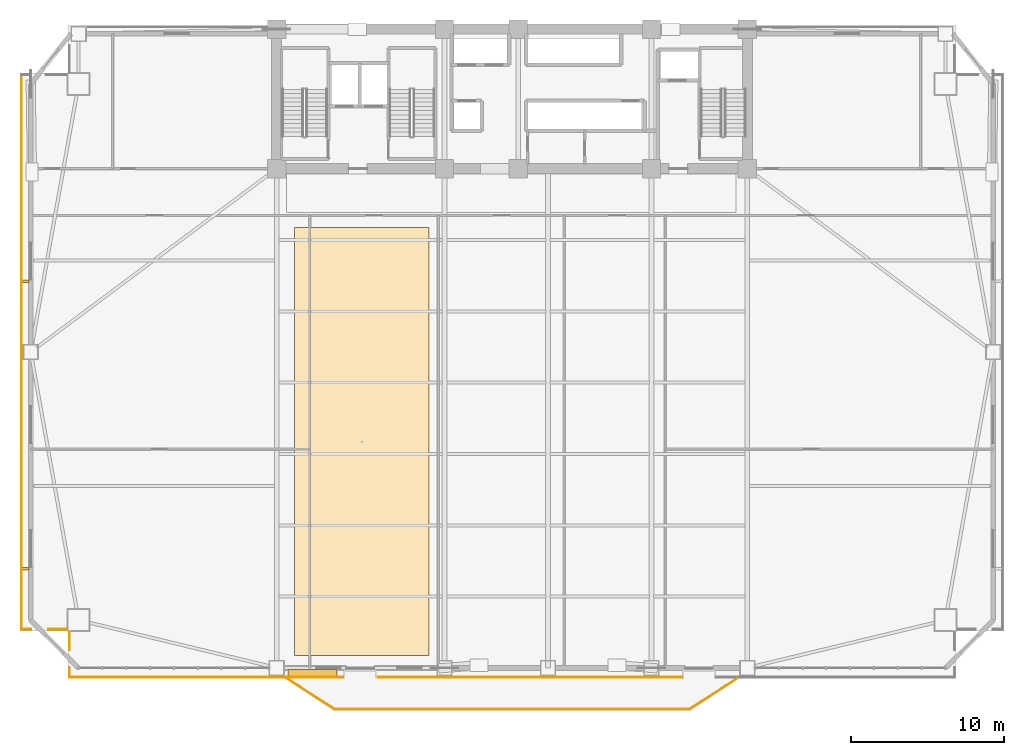
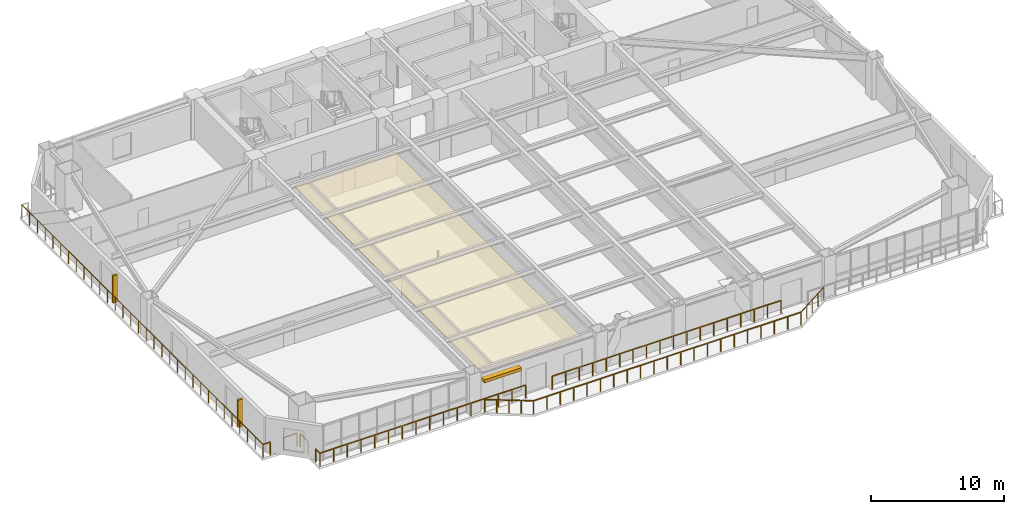
# One storey, part 14 of 18: 10 railings, 3 shading devices, 1 covering.
"""IFC4 building model written with IfcOpenShell, lengths in metres."""

from ifc_helpers import new_model, si_unit, direction, frame, origin, origin_2d, place, context, subcontext, project, spatial, polyline, rectangle, outline, extrude, source, transform, mapped, material, layer, layer_set, type_object, element, save


model = new_model("IFC4")

# Units and contexts
model_context = context("Model", 3, precision=1e-05, world=origin(), true_north=direction((0.0, 1.0)))
body_context = subcontext(model_context, "Body", "Model", "MODEL_VIEW")
ifc_project = project(units=[si_unit("LENGTHUNIT", "METRE"), si_unit("AREAUNIT", "SQUARE_METRE"), si_unit("VOLUMEUNIT", "CUBIC_METRE"), si_unit("PLANEANGLEUNIT", "RADIAN"), si_unit("MASSUNIT", "GRAM", prefix="KILO")], contexts=[model_context])

# Site, building, storey
site_placement = place(None, origin())
site = spatial("IfcSite", under=ifc_project, at=site_placement, CompositionType="ELEMENT")
building_placement = place(site_placement, origin())
building = spatial("IfcBuilding", under=site, at=building_placement, Name="Giltprow Tower", CompositionType="ELEMENT")
storey_placement = place(building_placement, frame((0.0, 0.0, 61.10009765625)))
storey = spatial("IfcBuildingStorey", under=building, at=storey_placement, Name="L15", CompositionType="ELEMENT", Elevation=61.10009765625)

# Covering
ifc_material_1 = material(Name="Acoustic mineral fibre", Category="gypsum")
ifc_layer = layer(ifc_material_1, 0.030029296875, Name="Acoustic mineral fibre")
ifc_layer_set = layer_set([ifc_layer], Name="Acoustic mineral fibre")
covering_type = type_object("IfcCoveringType", Name="COV-CLG-ACOUSTIC", PredefinedType="CEILING", material=ifc_layer_set)
covering_placement = place(storey_placement, frame((0.0, 0.0, 2.719970703125)))
element("IfcCovering", 1, at=covering_placement, inside=storey, type_object=covering_type, Name="L15 Office Acoustic Ceiling", PredefinedType="CEILING", context=body_context, shape_type="SweptSolid", body=[
    extrude(outline(polyline([(21.0, 5.681884765625), (29.800048828125, 5.681884765625), (29.800048828125, 33.60009765625), (21.0, 33.60009765625), (21.0, 5.681884765625)])), origin(), (0.0, 0.0, 1.0), 0.030029296875),
])

# Railings
ifc_material_2 = material(Name="Anodized bronze", Category="metal")
railing_type = type_object("IfcRailingType", Name="RAIL-BALC-GUARD-1200", PredefinedType="BALUSTRADE", material=ifc_material_2)
railing_1_placement = place(storey_placement, frame((20.52001953125, 4.181884765625, 0.0)))
element("IfcRailing", 2, at=railing_1_placement, inside=storey, type_object=railing_type, Name="L15 Waterfront Balcony Balustrade Seg 1", PredefinedType="BALUSTRADE", context=body_context, shape_type="SweptSolid", body=[
    extrude(rectangle(XDim=0.048095703125, YDim=0.048095703125, at=origin_2d()), frame((0.0, 0.0, 1.17578125), z_axis=(0.84277487735, -0.538266203757, 0.0), x_axis=(0.538266203757, 0.84277487735, 0.0)), (0.0, 0.0, 1.0), 3.678466796875),
    extrude(rectangle(XDim=0.0419921875, YDim=0.0419921875, at=origin_2d()), origin(), (0.0, 0.0, 1.0), 1.15185546875),
    extrude(rectangle(XDim=0.0419921875, YDim=0.0419921875, at=origin_2d()), frame((0.77490234375, -0.4951171875, 0.0)), (0.0, 0.0, 1.0), 1.15185546875),
    extrude(rectangle(XDim=0.0419921875, YDim=0.0419921875, at=origin_2d()), frame((1.550048828125, -0.989990234375, 0.0)), (0.0, 0.0, 1.0), 1.15185546875),
    extrude(rectangle(XDim=0.0419921875, YDim=0.0419921875, at=origin_2d()), frame((2.3251953125, -1.48486328125, 0.0)), (0.0, 0.0, 1.0), 1.15185546875),
    extrude(rectangle(XDim=0.0419921875, YDim=0.0419921875, at=origin_2d()), frame((3.10009765625, -1.97998046875, 0.0)), (0.0, 0.0, 1.0), 1.15185546875),
])
railing_2_placement = place(storey_placement, frame((23.6201171875, 2.201904296875, 0.0)))
element("IfcRailing", 3, at=railing_2_placement, inside=storey, type_object=railing_type, Name="L15 Waterfront Balcony Balustrade Seg 2", PredefinedType="BALUSTRADE", context=body_context, shape_type="SweptSolid", body=[
    extrude(rectangle(XDim=0.048095703125, YDim=0.048095703125, at=origin_2d()), frame((0.0, 0.0, 1.17578125), z_axis=(1.0, 0.0, 0.0), x_axis=(0.0, 1.0, 0.0)), (0.0, 0.0, 1.0), 23.159912109375),
    extrude(rectangle(XDim=0.0419921875, YDim=0.0419921875, at=origin_2d()), origin(), (0.0, 0.0, 1.0), 1.15185546875),
    extrude(rectangle(XDim=0.0419921875, YDim=0.0419921875, at=origin_2d()), frame((1.157958984375, 0.0, 0.0)), (0.0, 0.0, 1.0), 1.15185546875),
    extrude(rectangle(XDim=0.0419921875, YDim=0.0419921875, at=origin_2d()), frame((2.31591796875, 0.0, 0.0)), (0.0, 0.0, 1.0), 1.15185546875),
    extrude(rectangle(XDim=0.0419921875, YDim=0.0419921875, at=origin_2d()), frame((3.473876953125, 0.0, 0.0)), (0.0, 0.0, 1.0), 1.15185546875),
    extrude(rectangle(XDim=0.0419921875, YDim=0.0419921875, at=origin_2d()), frame((4.632080078125, 0.0, 0.0)), (0.0, 0.0, 1.0), 1.15185546875),
    extrude(rectangle(XDim=0.0419921875, YDim=0.0419921875, at=origin_2d()), frame((5.7900390625, 0.0, 0.0)), (0.0, 0.0, 1.0), 1.15185546875),
    extrude(rectangle(XDim=0.0419921875, YDim=0.0419921875, at=origin_2d()), frame((6.947998046875, 0.0, 0.0)), (0.0, 0.0, 1.0), 1.15185546875),
    extrude(rectangle(XDim=0.0419921875, YDim=0.0419921875, at=origin_2d()), frame((8.10595703125, 0.0, 0.0)), (0.0, 0.0, 1.0), 1.15185546875),
    extrude(rectangle(XDim=0.0419921875, YDim=0.0419921875, at=origin_2d()), frame((9.263916015625, 0.0, 0.0)), (0.0, 0.0, 1.0), 1.15185546875),
    extrude(rectangle(XDim=0.0419921875, YDim=0.0419921875, at=origin_2d()), frame((10.421875, 0.0, 0.0)), (0.0, 0.0, 1.0), 1.15185546875),
    extrude(rectangle(XDim=0.0419921875, YDim=0.0419921875, at=origin_2d()), frame((11.580078125, 0.0, 0.0)), (0.0, 0.0, 1.0), 1.15185546875),
    extrude(rectangle(XDim=0.0419921875, YDim=0.0419921875, at=origin_2d()), frame((12.738037109375, 0.0, 0.0)), (0.0, 0.0, 1.0), 1.15185546875),
    extrude(rectangle(XDim=0.0419921875, YDim=0.0419921875, at=origin_2d()), frame((13.89599609375, 0.0, 0.0)), (0.0, 0.0, 1.0), 1.15185546875),
    extrude(rectangle(XDim=0.0419921875, YDim=0.0419921875, at=origin_2d()), frame((15.053955078125, 0.0, 0.0)), (0.0, 0.0, 1.0), 1.15185546875),
    extrude(rectangle(XDim=0.0419921875, YDim=0.0419921875, at=origin_2d()), frame((16.2119140625, 0.0, 0.0)), (0.0, 0.0, 1.0), 1.15185546875),
    extrude(rectangle(XDim=0.0419921875, YDim=0.0419921875, at=origin_2d()), frame((17.369873046875, 0.0, 0.0)), (0.0, 0.0, 1.0), 1.15185546875),
    extrude(rectangle(XDim=0.0419921875, YDim=0.0419921875, at=origin_2d()), frame((18.52783203125, 0.0, 0.0)), (0.0, 0.0, 1.0), 1.15185546875),
    extrude(rectangle(XDim=0.0419921875, YDim=0.0419921875, at=origin_2d()), frame((19.68603515625, 0.0, 0.0)), (0.0, 0.0, 1.0), 1.15185546875),
    extrude(rectangle(XDim=0.0419921875, YDim=0.0419921875, at=origin_2d()), frame((20.843994140625, 0.0, 0.0)), (0.0, 0.0, 1.0), 1.15185546875),
    extrude(rectangle(XDim=0.0419921875, YDim=0.0419921875, at=origin_2d()), frame((22.001953125, 0.0, 0.0)), (0.0, 0.0, 1.0), 1.15185546875),
    extrude(rectangle(XDim=0.0419921875, YDim=0.0419921875, at=origin_2d()), frame((23.159912109375, 0.0, 0.0)), (0.0, 0.0, 1.0), 1.15185546875),
])
railing_3_placement = place(storey_placement, frame((46.780029296875, 2.201904296875, 0.0)))
element("IfcRailing", 4, at=railing_3_placement, inside=storey, type_object=railing_type, Name="L15 Waterfront Balcony Balustrade Seg 3", PredefinedType="BALUSTRADE", context=body_context, shape_type="SweptSolid", body=[
    extrude(rectangle(XDim=0.048095703125, YDim=0.048095703125, at=origin_2d()), frame((0.0, 0.0, 1.17578125), z_axis=(0.842755646126, 0.538296313309, 0.0), x_axis=(-0.538296313309, 0.842755646126, 0.0)), (0.0, 0.0, 1.0), 3.67822265625),
    extrude(rectangle(XDim=0.0419921875, YDim=0.0419921875, at=origin_2d()), origin(), (0.0, 0.0, 1.0), 1.15185546875),
    extrude(rectangle(XDim=0.0419921875, YDim=0.0419921875, at=origin_2d()), frame((0.77490234375, 0.4951171875, 0.0)), (0.0, 0.0, 1.0), 1.15185546875),
    extrude(rectangle(XDim=0.0419921875, YDim=0.0419921875, at=origin_2d()), frame((1.5498046875, 0.989990234375, 0.0)), (0.0, 0.0, 1.0), 1.15185546875),
    extrude(rectangle(XDim=0.0419921875, YDim=0.0419921875, at=origin_2d()), frame((2.324951171875, 1.48486328125, 0.0)), (0.0, 0.0, 1.0), 1.15185546875),
    extrude(rectangle(XDim=0.0419921875, YDim=0.0419921875, at=origin_2d()), frame((3.099853515625, 1.97998046875, 0.0)), (0.0, 0.0, 1.0), 1.15185546875),
])
railing_4_placement = place(storey_placement, frame((6.326904296875, 4.281982421875, 0.0)))
element("IfcRailing", 5, at=railing_4_placement, inside=storey, type_object=railing_type, Name="L15 Corner Apron Edge Balustrade 1", PredefinedType="BALUSTRADE", context=body_context, shape_type="SweptSolid", body=[
    extrude(rectangle(XDim=0.048095703125, YDim=0.048095703125, at=origin_2d()), frame((0.0, 0.0, 1.17578125), z_axis=(0.0, 1.0, 0.0), x_axis=(-1.0, 0.0, 0.0)), (0.0, 0.0, 1.0), 0.6201171875),
    extrude(rectangle(XDim=0.0419921875, YDim=0.0419921875, at=origin_2d()), origin(), (0.0, 0.0, 1.0), 1.15185546875),
    extrude(rectangle(XDim=0.0419921875, YDim=0.0419921875, at=origin_2d()), frame((0.0, 0.6201171875, 0.0)), (0.0, 0.0, 1.0), 1.15185546875),
])
railing_5_placement = place(storey_placement, frame((6.326904296875, 6.06201171875, 0.0)))
element("IfcRailing", 6, at=railing_5_placement, inside=storey, type_object=railing_type, Name="L15 Corner Apron Edge Balustrade 2", PredefinedType="BALUSTRADE", context=body_context, shape_type="SweptSolid", body=[
    extrude(rectangle(XDim=0.048095703125, YDim=0.048095703125, at=origin_2d()), frame((0.0, 0.0, 1.17578125), z_axis=(0.0, 1.0, 0.0), x_axis=(-1.0, 0.0, 0.0)), (0.0, 0.0, 1.0), 1.156982421875),
    extrude(rectangle(XDim=0.0419921875, YDim=0.0419921875, at=origin_2d()), origin(), (0.0, 0.0, 1.0), 1.15185546875),
    extrude(rectangle(XDim=0.0419921875, YDim=0.0419921875, at=origin_2d()), frame((0.0, 1.156982421875, 0.0)), (0.0, 0.0, 1.0), 1.15185546875),
])
railing_6_placement = place(storey_placement, frame((6.14208984375, 7.404052734375, 0.0)))
element("IfcRailing", 7, at=railing_6_placement, inside=storey, type_object=railing_type, Name="L15 Corner Apron Edge Balustrade 3", PredefinedType="BALUSTRADE", context=body_context, shape_type="SweptSolid", body=[
    extrude(rectangle(XDim=0.048095703125, YDim=0.048095703125, at=origin_2d()), frame((0.0, 0.0, 1.17578125), z_axis=(-1.0, 0.0, 0.0), x_axis=(0.0, -1.0, 0.0)), (0.0, 0.0, 1.0), 1.156982421875),
    extrude(rectangle(XDim=0.0419921875, YDim=0.0419921875, at=origin_2d()), origin(), (0.0, 0.0, 1.0), 1.15185546875),
    extrude(rectangle(XDim=0.0419921875, YDim=0.0419921875, at=origin_2d()), frame((-1.156982421875, 0.0, 0.0)), (0.0, 0.0, 1.0), 1.15185546875),
])
railing_7_placement = place(storey_placement, frame((3.824951171875, 7.404052734375, 0.0)))
element("IfcRailing", 8, at=railing_7_placement, inside=storey, type_object=railing_type, Name="L15 Corner Apron Edge Balustrade 4", PredefinedType="BALUSTRADE", context=body_context, shape_type="SweptSolid", body=[
    extrude(rectangle(XDim=0.048095703125, YDim=0.048095703125, at=origin_2d()), frame((0.0, 0.0, 1.17578125), z_axis=(-1.0, 0.0, 0.0), x_axis=(0.0, -1.0, 0.0)), (0.0, 0.0, 1.0), 0.619873046875),
    extrude(rectangle(XDim=0.0419921875, YDim=0.0419921875, at=origin_2d()), origin(), (0.0, 0.0, 1.0), 1.15185546875),
    extrude(rectangle(XDim=0.0419921875, YDim=0.0419921875, at=origin_2d()), frame((-0.619873046875, 0.0, 0.0)), (0.0, 0.0, 1.0), 1.15185546875),
])
railing_8_placement = place(storey_placement, frame((3.205078125, 7.404052734375, 0.0)))
element("IfcRailing", 9, at=railing_8_placement, inside=storey, type_object=railing_type, Name="L15 Corner Apron Edge Balustrade 5", PredefinedType="BALUSTRADE", context=body_context, shape_type="SweptSolid", body=[
    extrude(rectangle(XDim=0.048095703125, YDim=0.048095703125, at=origin_2d()), frame((0.0, 0.0, 1.17578125), z_axis=(0.0, 1.0, 0.0), x_axis=(-1.0, 0.0, 0.0)), (0.0, 0.0, 1.0), 36.173828125),
    extrude(rectangle(XDim=0.0419921875, YDim=0.0419921875, at=origin_2d()), origin(), (0.0, 0.0, 1.0), 1.15185546875),
    extrude(rectangle(XDim=0.0419921875, YDim=0.0419921875, at=origin_2d()), frame((0.0, 1.1669921875, 0.0)), (0.0, 0.0, 1.0), 1.15185546875),
    extrude(rectangle(XDim=0.0419921875, YDim=0.0419921875, at=origin_2d()), frame((0.0, 2.333740234375, 0.0)), (0.0, 0.0, 1.0), 1.15185546875),
    extrude(rectangle(XDim=0.0419921875, YDim=0.0419921875, at=origin_2d()), frame((0.0, 3.500732421875, 0.0)), (0.0, 0.0, 1.0), 1.15185546875),
    extrude(rectangle(XDim=0.0419921875, YDim=0.0419921875, at=origin_2d()), frame((0.0, 4.66748046875, 0.0)), (0.0, 0.0, 1.0), 1.15185546875),
    extrude(rectangle(XDim=0.0419921875, YDim=0.0419921875, at=origin_2d()), frame((0.0, 5.83447265625, 0.0)), (0.0, 0.0, 1.0), 1.15185546875),
    extrude(rectangle(XDim=0.0419921875, YDim=0.0419921875, at=origin_2d()), frame((0.0, 7.00146484375, 0.0)), (0.0, 0.0, 1.0), 1.15185546875),
    extrude(rectangle(XDim=0.0419921875, YDim=0.0419921875, at=origin_2d()), frame((0.0, 8.168212890625, 0.0)), (0.0, 0.0, 1.0), 1.15185546875),
    extrude(rectangle(XDim=0.0419921875, YDim=0.0419921875, at=origin_2d()), frame((0.0, 9.335205078125, 0.0)), (0.0, 0.0, 1.0), 1.15185546875),
    extrude(rectangle(XDim=0.0419921875, YDim=0.0419921875, at=origin_2d()), frame((0.0, 10.502197265625, 0.0)), (0.0, 0.0, 1.0), 1.15185546875),
    extrude(rectangle(XDim=0.0419921875, YDim=0.0419921875, at=origin_2d()), frame((0.0, 11.6689453125, 0.0)), (0.0, 0.0, 1.0), 1.15185546875),
    extrude(rectangle(XDim=0.0419921875, YDim=0.0419921875, at=origin_2d()), frame((0.0, 12.8359375, 0.0)), (0.0, 0.0, 1.0), 1.15185546875),
    extrude(rectangle(XDim=0.0419921875, YDim=0.0419921875, at=origin_2d()), frame((0.0, 14.002685546875, 0.0)), (0.0, 0.0, 1.0), 1.15185546875),
    extrude(rectangle(XDim=0.0419921875, YDim=0.0419921875, at=origin_2d()), frame((0.0, 15.169677734375, 0.0)), (0.0, 0.0, 1.0), 1.15185546875),
    extrude(rectangle(XDim=0.0419921875, YDim=0.0419921875, at=origin_2d()), frame((0.0, 16.336669921875, 0.0)), (0.0, 0.0, 1.0), 1.15185546875),
    extrude(rectangle(XDim=0.0419921875, YDim=0.0419921875, at=origin_2d()), frame((0.0, 17.50341796875, 0.0)), (0.0, 0.0, 1.0), 1.15185546875),
    extrude(rectangle(XDim=0.0419921875, YDim=0.0419921875, at=origin_2d()), frame((0.0, 18.67041015625, 0.0)), (0.0, 0.0, 1.0), 1.15185546875),
    extrude(rectangle(XDim=0.0419921875, YDim=0.0419921875, at=origin_2d()), frame((0.0, 19.837158203125, 0.0)), (0.0, 0.0, 1.0), 1.15185546875),
    extrude(rectangle(XDim=0.0419921875, YDim=0.0419921875, at=origin_2d()), frame((0.0, 21.004150390625, 0.0)), (0.0, 0.0, 1.0), 1.15185546875),
    extrude(rectangle(XDim=0.0419921875, YDim=0.0419921875, at=origin_2d()), frame((0.0, 22.171142578125, 0.0)), (0.0, 0.0, 1.0), 1.15185546875),
    extrude(rectangle(XDim=0.0419921875, YDim=0.0419921875, at=origin_2d()), frame((0.0, 23.337890625, 0.0)), (0.0, 0.0, 1.0), 1.15185546875),
    extrude(rectangle(XDim=0.0419921875, YDim=0.0419921875, at=origin_2d()), frame((0.0, 24.5048828125, 0.0)), (0.0, 0.0, 1.0), 1.15185546875),
    extrude(rectangle(XDim=0.0419921875, YDim=0.0419921875, at=origin_2d()), frame((0.0, 25.671630859375, 0.0)), (0.0, 0.0, 1.0), 1.15185546875),
    extrude(rectangle(XDim=0.0419921875, YDim=0.0419921875, at=origin_2d()), frame((0.0, 26.838623046875, 0.0)), (0.0, 0.0, 1.0), 1.15185546875),
    extrude(rectangle(XDim=0.0419921875, YDim=0.0419921875, at=origin_2d()), frame((0.0, 28.005615234375, 0.0)), (0.0, 0.0, 1.0), 1.15185546875),
    extrude(rectangle(XDim=0.0419921875, YDim=0.0419921875, at=origin_2d()), frame((0.0, 29.17236328125, 0.0)), (0.0, 0.0, 1.0), 1.15185546875),
    extrude(rectangle(XDim=0.0419921875, YDim=0.0419921875, at=origin_2d()), frame((0.0, 30.33935546875, 0.0)), (0.0, 0.0, 1.0), 1.15185546875),
    extrude(rectangle(XDim=0.0419921875, YDim=0.0419921875, at=origin_2d()), frame((0.0, 31.50634765625, 0.0)), (0.0, 0.0, 1.0), 1.15185546875),
    extrude(rectangle(XDim=0.0419921875, YDim=0.0419921875, at=origin_2d()), frame((0.0, 32.673095703125, 0.0)), (0.0, 0.0, 1.0), 1.15185546875),
    extrude(rectangle(XDim=0.0419921875, YDim=0.0419921875, at=origin_2d()), frame((0.0, 33.840087890625, 0.0)), (0.0, 0.0, 1.0), 1.15185546875),
    extrude(rectangle(XDim=0.0419921875, YDim=0.0419921875, at=origin_2d()), frame((0.0, 35.0068359375, 0.0)), (0.0, 0.0, 1.0), 1.15185546875),
    extrude(rectangle(XDim=0.0419921875, YDim=0.0419921875, at=origin_2d()), frame((0.0, 36.173828125, 0.0)), (0.0, 0.0, 1.0), 1.15185546875),
])
railing_9_placement = place(storey_placement, frame((46.25, 4.281982421875, 0.0)))
element("IfcRailing", 10, at=railing_9_placement, inside=storey, type_object=railing_type, Name="L15 Corner Apron Edge Balustrade 20", PredefinedType="BALUSTRADE", context=body_context, shape_type="SweptSolid", body=[
    extrude(rectangle(XDim=0.048095703125, YDim=0.048095703125, at=origin_2d()), frame((0.0, 0.0, 1.17578125), z_axis=(-1.0, 0.0, 0.0), x_axis=(0.0, -1.0, 0.0)), (0.0, 0.0, 1.0), 19.800048828125),
    extrude(rectangle(XDim=0.0419921875, YDim=0.0419921875, at=origin_2d()), origin(), (0.0, 0.0, 1.0), 1.15185546875),
    extrude(rectangle(XDim=0.0419921875, YDim=0.0419921875, at=origin_2d()), frame((-1.164794921875, 0.0, 0.0)), (0.0, 0.0, 1.0), 1.15185546875),
    extrude(rectangle(XDim=0.0419921875, YDim=0.0419921875, at=origin_2d()), frame((-2.329345703125, 0.0, 0.0)), (0.0, 0.0, 1.0), 1.15185546875),
    extrude(rectangle(XDim=0.0419921875, YDim=0.0419921875, at=origin_2d()), frame((-3.494140625, 0.0, 0.0)), (0.0, 0.0, 1.0), 1.15185546875),
    extrude(rectangle(XDim=0.0419921875, YDim=0.0419921875, at=origin_2d()), frame((-4.658935546875, 0.0, 0.0)), (0.0, 0.0, 1.0), 1.15185546875),
    extrude(rectangle(XDim=0.0419921875, YDim=0.0419921875, at=origin_2d()), frame((-5.823486328125, 0.0, 0.0)), (0.0, 0.0, 1.0), 1.15185546875),
    extrude(rectangle(XDim=0.0419921875, YDim=0.0419921875, at=origin_2d()), frame((-6.98828125, 0.0, 0.0)), (0.0, 0.0, 1.0), 1.15185546875),
    extrude(rectangle(XDim=0.0419921875, YDim=0.0419921875, at=origin_2d()), frame((-8.153076171875, 0.0, 0.0)), (0.0, 0.0, 1.0), 1.15185546875),
    extrude(rectangle(XDim=0.0419921875, YDim=0.0419921875, at=origin_2d()), frame((-9.317626953125, 0.0, 0.0)), (0.0, 0.0, 1.0), 1.15185546875),
    extrude(rectangle(XDim=0.0419921875, YDim=0.0419921875, at=origin_2d()), frame((-10.482421875, 0.0, 0.0)), (0.0, 0.0, 1.0), 1.15185546875),
    extrude(rectangle(XDim=0.0419921875, YDim=0.0419921875, at=origin_2d()), frame((-11.64697265625, 0.0, 0.0)), (0.0, 0.0, 1.0), 1.15185546875),
    extrude(rectangle(XDim=0.0419921875, YDim=0.0419921875, at=origin_2d()), frame((-12.811767578125, 0.0, 0.0)), (0.0, 0.0, 1.0), 1.15185546875),
    extrude(rectangle(XDim=0.0419921875, YDim=0.0419921875, at=origin_2d()), frame((-13.9765625, 0.0, 0.0)), (0.0, 0.0, 1.0), 1.15185546875),
    extrude(rectangle(XDim=0.0419921875, YDim=0.0419921875, at=origin_2d()), frame((-15.14111328125, 0.0, 0.0)), (0.0, 0.0, 1.0), 1.15185546875),
    extrude(rectangle(XDim=0.0419921875, YDim=0.0419921875, at=origin_2d()), frame((-16.305908203125, 0.0, 0.0)), (0.0, 0.0, 1.0), 1.15185546875),
    extrude(rectangle(XDim=0.0419921875, YDim=0.0419921875, at=origin_2d()), frame((-17.470703125, 0.0, 0.0)), (0.0, 0.0, 1.0), 1.15185546875),
    extrude(rectangle(XDim=0.0419921875, YDim=0.0419921875, at=origin_2d()), frame((-18.63525390625, 0.0, 0.0)), (0.0, 0.0, 1.0), 1.15185546875),
    extrude(rectangle(XDim=0.0419921875, YDim=0.0419921875, at=origin_2d()), frame((-19.800048828125, 0.0, 0.0)), (0.0, 0.0, 1.0), 1.15185546875),
])
railing_10_placement = place(storey_placement, frame((24.14990234375, 4.281982421875, 0.0)))
element("IfcRailing", 11, at=railing_10_placement, inside=storey, type_object=railing_type, Name="L15 Corner Apron Edge Balustrade 21", PredefinedType="BALUSTRADE", context=body_context, shape_type="SweptSolid", body=[
    extrude(rectangle(XDim=0.048095703125, YDim=0.048095703125, at=origin_2d()), frame((0.0, 0.0, 1.17578125), z_axis=(-1.0, 0.0, 0.0), x_axis=(0.0, -1.0, 0.0)), (0.0, 0.0, 1.0), 17.822998046875),
    extrude(rectangle(XDim=0.0419921875, YDim=0.0419921875, at=origin_2d()), origin(), (0.0, 0.0, 1.0), 1.15185546875),
    extrude(rectangle(XDim=0.0419921875, YDim=0.0419921875, at=origin_2d()), frame((-1.188232421875, 0.0, 0.0)), (0.0, 0.0, 1.0), 1.15185546875),
    extrude(rectangle(XDim=0.0419921875, YDim=0.0419921875, at=origin_2d()), frame((-2.37646484375, 0.0, 0.0)), (0.0, 0.0, 1.0), 1.15185546875),
    extrude(rectangle(XDim=0.0419921875, YDim=0.0419921875, at=origin_2d()), frame((-3.564697265625, 0.0, 0.0)), (0.0, 0.0, 1.0), 1.15185546875),
    extrude(rectangle(XDim=0.0419921875, YDim=0.0419921875, at=origin_2d()), frame((-4.752685546875, 0.0, 0.0)), (0.0, 0.0, 1.0), 1.15185546875),
    extrude(rectangle(XDim=0.0419921875, YDim=0.0419921875, at=origin_2d()), frame((-5.94091796875, 0.0, 0.0)), (0.0, 0.0, 1.0), 1.15185546875),
    extrude(rectangle(XDim=0.0419921875, YDim=0.0419921875, at=origin_2d()), frame((-7.129150390625, 0.0, 0.0)), (0.0, 0.0, 1.0), 1.15185546875),
    extrude(rectangle(XDim=0.0419921875, YDim=0.0419921875, at=origin_2d()), frame((-8.3173828125, 0.0, 0.0)), (0.0, 0.0, 1.0), 1.15185546875),
    extrude(rectangle(XDim=0.0419921875, YDim=0.0419921875, at=origin_2d()), frame((-9.505615234375, 0.0, 0.0)), (0.0, 0.0, 1.0), 1.15185546875),
    extrude(rectangle(XDim=0.0419921875, YDim=0.0419921875, at=origin_2d()), frame((-10.69384765625, 0.0, 0.0)), (0.0, 0.0, 1.0), 1.15185546875),
    extrude(rectangle(XDim=0.0419921875, YDim=0.0419921875, at=origin_2d()), frame((-11.882080078125, 0.0, 0.0)), (0.0, 0.0, 1.0), 1.15185546875),
    extrude(rectangle(XDim=0.0419921875, YDim=0.0419921875, at=origin_2d()), frame((-13.0703125, 0.0, 0.0)), (0.0, 0.0, 1.0), 1.15185546875),
    extrude(rectangle(XDim=0.0419921875, YDim=0.0419921875, at=origin_2d()), frame((-14.25830078125, 0.0, 0.0)), (0.0, 0.0, 1.0), 1.15185546875),
    extrude(rectangle(XDim=0.0419921875, YDim=0.0419921875, at=origin_2d()), frame((-15.446533203125, 0.0, 0.0)), (0.0, 0.0, 1.0), 1.15185546875),
    extrude(rectangle(XDim=0.0419921875, YDim=0.0419921875, at=origin_2d()), frame((-16.634765625, 0.0, 0.0)), (0.0, 0.0, 1.0), 1.15185546875),
    extrude(rectangle(XDim=0.0419921875, YDim=0.0419921875, at=origin_2d()), frame((-17.822998046875, 0.0, 0.0)), (0.0, 0.0, 1.0), 1.15185546875),
])

# Shading devices
shading_device_type_1 = type_object("IfcShadingDeviceType", Name="SHD-FIN-420", PredefinedType="USERDEFINED", material=ifc_material_2)
shared_shape_1 = source(origin(), body_context, "Body", "SweptSolid", [
    extrude(rectangle(XDim=0.419921875, YDim=0.159912109375, at=origin_2d()), origin(), (0.0, 0.0, 1.0), 2.5),
])
for number, where, z_axis, x_axis, name in (
    (12, (3.485107421875, 11.341064453125, 0.349853515625), (0.0, 0.0, 1.0), (1.0, 0.0, 0.0), "L15 W Bronze Vertical Fin 1-1"),
    (13, (3.485107421875, 30.093994140625, 0.349853515625), (0.0, 0.0, 1.0), (1.0, 0.0, 0.0), "L15 W Bronze Vertical Fin 2-1"),
):
    element("IfcShadingDevice", number, at=place(storey_placement, frame(where, z_axis=z_axis, x_axis=x_axis)), inside=storey, type_object=shading_device_type_1, Name=name, ObjectType="FIN", PredefinedType="USERDEFINED", context=body_context, shape_type="MappedRepresentation", body=[
        mapped(shared_shape_1, transform((0.0, 0.0, 0.0), x_axis=(1.0, 0.0, 0.0), y_axis=(0.0, 1.0, 0.0), z_axis=(0.0, 0.0, 1.0), scale=1.0)),
    ])
shading_device_type_2 = type_object("IfcShadingDeviceType", Name="SHD-LOUVRE-320", PredefinedType="JALOUSIE", material=ifc_material_2)
shared_shape_2 = source(origin(), body_context, "Body", "SweptSolid", [
    extrude(rectangle(XDim=3.199951171875, YDim=0.449951171875, at=origin_2d()), origin(), (0.0, 0.0, 1.0), 0.280029296875),
])
shading_device_placement = place(storey_placement, frame((22.199951171875, 4.56201171875, 2.56005859375), z_axis=(0.0, 0.0, 1.0), x_axis=(1.0, 0.0, 0.0)))
element("IfcShadingDevice", 14, at=shading_device_placement, inside=storey, type_object=shading_device_type_2, Name="L15 Bronze Sunshade Louvre S-2", PredefinedType="JALOUSIE", context=body_context, shape_type="MappedRepresentation", body=[
    mapped(shared_shape_2, transform((0.0, 0.0, 0.0), x_axis=(1.0, 0.0, 0.0), y_axis=(0.0, 1.0, 0.0), z_axis=(0.0, 0.0, 1.0), scale=1.0)),
])

save(model, "model.ifc")
